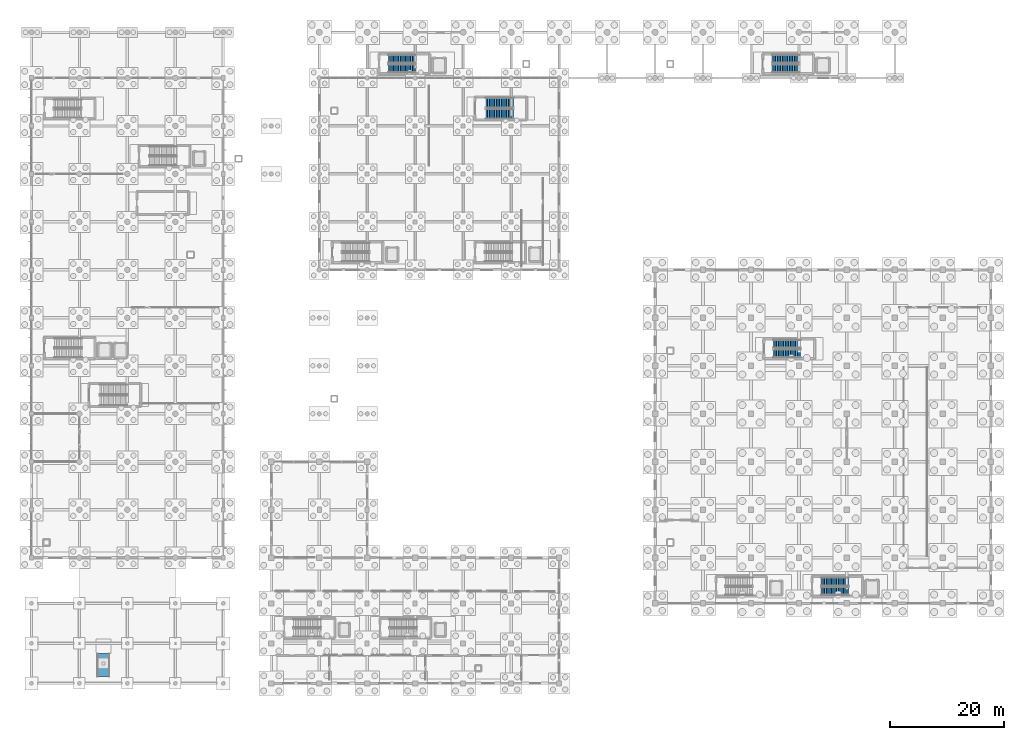
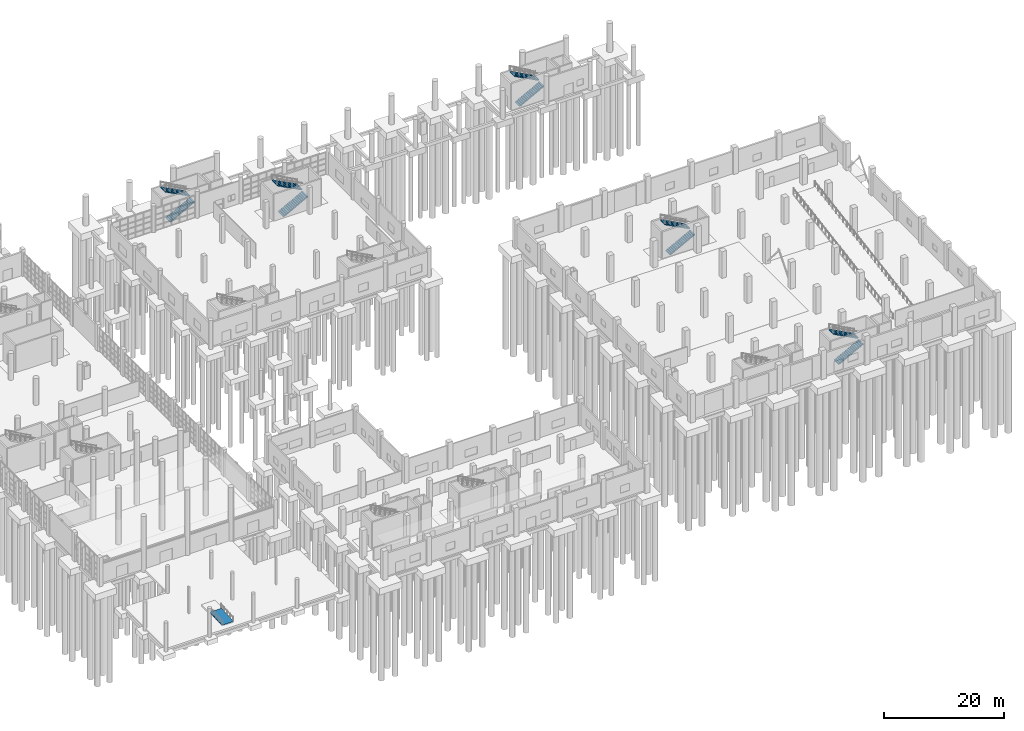
# One storey, part 62 of 83: 10 stair flights, 1 ramp flight, 6 elements without a shape of their own.
"""IFC4 building model written with IfcOpenShell, lengths in metres."""

from ifc_helpers import new_model, si_unit, direction, frame, origin, place, context, subcontext, project, spatial, polyline, outline, extrude, material, layer, layer_set, type_object, element, aggregate, save


model = new_model("IFC4")

# Units and contexts
model_context = context("Model", 3, precision=1e-05, world=origin(), true_north=direction((0.0, 1.0)))
body_context = subcontext(model_context, "Body", "Model", "MODEL_VIEW")
ifc_project = project(units=[si_unit("LENGTHUNIT", "METRE"), si_unit("AREAUNIT", "SQUARE_METRE"), si_unit("VOLUMEUNIT", "CUBIC_METRE"), si_unit("PLANEANGLEUNIT", "RADIAN"), si_unit("MASSUNIT", "GRAM", prefix="KILO"), si_unit("THERMODYNAMICTEMPERATUREUNIT", "KELVIN"), si_unit("POWERUNIT", "WATT")], contexts=[model_context])

# Site, building, storey
site_placement = place(None, origin())
site = spatial("IfcSite", under=ifc_project, at=site_placement, CompositionType="ELEMENT")
building_placement = place(site_placement, origin())
building = spatial("IfcBuilding", under=site, at=building_placement, Name="Mavoryth Pier Ferry Terminal", CompositionType="ELEMENT")
storey_placement = place(building_placement, origin())
storey = spatial("IfcBuildingStorey", under=building, at=storey_placement, Name="L00", CompositionType="ELEMENT", Elevation=0.0)

# Stair, stair flights
ifc_material = material(Name="Concrete C35/45", Category="concrete")
stair_type_1 = type_object("IfcStairType", Name="Stair-Core-W1500", PredefinedType="TWO_STRAIGHT_RUN_STAIR", material=ifc_material)
stair_1_placement = place(storey_placement, origin())
stair_1 = element("IfcStair", 1, at=stair_1_placement, inside=storey, type_object=stair_type_1, Name="L00 Core C3A Stair", PredefinedType="TWO_STRAIGHT_RUN_STAIR")
ifc_layer_1 = layer(ifc_material, 0.14990234375, Name="Concrete C35/45", Category="concrete")
ifc_layer_set_1 = layer_set([ifc_layer_1], Name="Concrete C35/45 - Flight-Core-W1500")
stair_flight_type_1 = type_object("IfcStairFlightType", Name="Flight-Core-W1500", PredefinedType="STRAIGHT", material=ifc_layer_set_1)
stair_flight_1_placement = place(storey_placement, frame((62.5, 107.64990234375, 0.0), z_axis=(0.0, 0.0, 1.0), x_axis=(1.0, 0.0, 0.0)))
stair_flight_1 = element("IfcStairFlight", 2, at=stair_flight_1_placement, type_object=stair_flight_type_1, Name="ST06 flight 1", NumberOfRisers=17, NumberOfTreads=16, PredefinedType="STRAIGHT", RiserHeight=0.16, TreadLength=0.3, context=body_context, shape_type="SweptSolid", body=[
    extrude(outline(polyline([(0.0, 0.0), (0.0, 0.159912109375), (0.300048828125, 0.159912109375), (0.300048828125, 0.320068359375), (0.60009765625, 0.320068359375), (0.60009765625, 0.47998046875), (0.89990234375, 0.47998046875), (0.89990234375, 0.639892578125), (1.199951171875, 0.639892578125), (1.199951171875, 0.800048828125), (1.5, 0.800048828125), (1.5, 0.9599609375), (1.800048828125, 0.9599609375), (1.800048828125, 1.1201171875), (2.10009765625, 1.1201171875), (2.10009765625, 1.280029296875), (2.39990234375, 1.280029296875), (2.39990234375, 1.43994140625), (2.699951171875, 1.43994140625), (2.699951171875, 1.60009765625), (3.0, 1.60009765625), (3.0, 1.760009765625), (3.300048828125, 1.760009765625), (3.300048828125, 1.919921875), (3.60009765625, 1.919921875), (3.60009765625, 2.080078125), (3.89990234375, 2.080078125), (3.89990234375, 2.239990234375), (4.199951171875, 2.239990234375), (4.199951171875, 2.39990234375), (4.5, 2.39990234375), (4.5, 2.56005859375), (4.800048828125, 2.56005859375), (4.800048828125, 2.719970703125), (4.800048828125, 2.39013671875), (0.318603515625, 0.0), (0.0, 0.0)])), frame((0.0, 0.75, 0.0), z_axis=(0.0, -1.0, 0.0), x_axis=(1.0, 0.0, 0.0)), (0.0, 0.0, 1.0), 1.5),
])
stair_flight_2_placement = place(storey_placement, frame((67.300048828125, 109.300048828125, 2.719970703125), z_axis=(0.0, 0.0, 1.0), x_axis=(-1.0, 0.0, 0.0)))
stair_flight_2 = element("IfcStairFlight", 3, at=stair_flight_2_placement, type_object=stair_flight_type_1, Name="ST06 flight 2", NumberOfRisers=17, NumberOfTreads=16, PredefinedType="STRAIGHT", RiserHeight=0.16, TreadLength=0.3, context=body_context, shape_type="SweptSolid", body=[
    extrude(outline(polyline([(0.0, 0.0), (0.0, 0.159912109375), (0.300048828125, 0.159912109375), (0.300048828125, 0.320068359375), (0.60009765625, 0.320068359375), (0.60009765625, 0.47998046875), (0.89990234375, 0.47998046875), (0.89990234375, 0.639892578125), (1.199951171875, 0.639892578125), (1.199951171875, 0.800048828125), (1.5, 0.800048828125), (1.5, 0.9599609375), (1.800048828125, 0.9599609375), (1.800048828125, 1.1201171875), (2.10009765625, 1.1201171875), (2.10009765625, 1.280029296875), (2.39990234375, 1.280029296875), (2.39990234375, 1.43994140625), (2.699951171875, 1.43994140625), (2.699951171875, 1.60009765625), (3.0, 1.60009765625), (3.0, 1.760009765625), (3.300048828125, 1.760009765625), (3.300048828125, 1.919921875), (3.60009765625, 1.919921875), (3.60009765625, 2.080078125), (3.89990234375, 2.080078125), (3.89990234375, 2.239990234375), (4.199951171875, 2.239990234375), (4.199951171875, 2.39990234375), (4.5, 2.39990234375), (4.5, 2.56005859375), (4.800048828125, 2.56005859375), (4.800048828125, 2.719970703125), (4.800048828125, 2.39013671875), (0.318603515625, 0.0), (0.0, 0.0)])), frame((0.0, 0.75, 0.0), z_axis=(0.0, -1.0, 0.0), x_axis=(1.0, 0.0, 0.0)), (0.0, 0.0, 1.0), 1.5),
])
aggregate(stair_1, [stair_flight_1, stair_flight_2])

stair_2_placement = place(storey_placement, origin())
stair_2 = element("IfcStair", 4, at=stair_2_placement, inside=storey, type_object=stair_type_1, Name="L00 Core C3B Stair", PredefinedType="TWO_STRAIGHT_RUN_STAIR")
stair_flight_3_placement = place(storey_placement, frame((129.699951171875, 107.64990234375, 0.0), z_axis=(0.0, 0.0, 1.0), x_axis=(1.0, 0.0, 0.0)))
stair_flight_3 = element("IfcStairFlight", 5, at=stair_flight_3_placement, type_object=stair_flight_type_1, Name="ST07 flight 1", NumberOfRisers=17, NumberOfTreads=16, PredefinedType="STRAIGHT", RiserHeight=0.16, TreadLength=0.3, context=body_context, shape_type="SweptSolid", body=[
    extrude(outline(polyline([(0.0, 0.0), (0.0, 0.159912109375), (0.300048828125, 0.159912109375), (0.300048828125, 0.320068359375), (0.60009765625, 0.320068359375), (0.60009765625, 0.47998046875), (0.89990234375, 0.47998046875), (0.89990234375, 0.639892578125), (1.199951171875, 0.639892578125), (1.199951171875, 0.800048828125), (1.5, 0.800048828125), (1.5, 0.9599609375), (1.800048828125, 0.9599609375), (1.800048828125, 1.1201171875), (2.10009765625, 1.1201171875), (2.10009765625, 1.280029296875), (2.39990234375, 1.280029296875), (2.39990234375, 1.43994140625), (2.699951171875, 1.43994140625), (2.699951171875, 1.60009765625), (3.0, 1.60009765625), (3.0, 1.760009765625), (3.300048828125, 1.760009765625), (3.300048828125, 1.919921875), (3.60009765625, 1.919921875), (3.60009765625, 2.080078125), (3.89990234375, 2.080078125), (3.89990234375, 2.239990234375), (4.199951171875, 2.239990234375), (4.199951171875, 2.39990234375), (4.5, 2.39990234375), (4.5, 2.56005859375), (4.800048828125, 2.56005859375), (4.800048828125, 2.719970703125), (4.800048828125, 2.39013671875), (0.318603515625, 0.0), (0.0, 0.0)])), frame((0.0, 0.75, 0.0), z_axis=(0.0, -1.0, 0.0), x_axis=(1.0, 0.0, 0.0)), (0.0, 0.0, 1.0), 1.5),
])
stair_flight_4_placement = place(storey_placement, frame((134.5, 109.300048828125, 2.719970703125), z_axis=(0.0, 0.0, 1.0), x_axis=(-1.0, 0.0, 0.0)))
stair_flight_4 = element("IfcStairFlight", 6, at=stair_flight_4_placement, type_object=stair_flight_type_1, Name="ST07 flight 2", NumberOfRisers=17, NumberOfTreads=16, PredefinedType="STRAIGHT", RiserHeight=0.16, TreadLength=0.3, context=body_context, shape_type="SweptSolid", body=[
    extrude(outline(polyline([(0.0, 0.0), (0.0, 0.159912109375), (0.300048828125, 0.159912109375), (0.300048828125, 0.320068359375), (0.60009765625, 0.320068359375), (0.60009765625, 0.47998046875), (0.89990234375, 0.47998046875), (0.89990234375, 0.639892578125), (1.199951171875, 0.639892578125), (1.199951171875, 0.800048828125), (1.5, 0.800048828125), (1.5, 0.9599609375), (1.800048828125, 0.9599609375), (1.800048828125, 1.1201171875), (2.10009765625, 1.1201171875), (2.10009765625, 1.280029296875), (2.39990234375, 1.280029296875), (2.39990234375, 1.43994140625), (2.699951171875, 1.43994140625), (2.699951171875, 1.60009765625), (3.0, 1.60009765625), (3.0, 1.760009765625), (3.300048828125, 1.760009765625), (3.300048828125, 1.919921875), (3.60009765625, 1.919921875), (3.60009765625, 2.080078125), (3.89990234375, 2.080078125), (3.89990234375, 2.239990234375), (4.199951171875, 2.239990234375), (4.199951171875, 2.39990234375), (4.5, 2.39990234375), (4.5, 2.56005859375), (4.800048828125, 2.56005859375), (4.800048828125, 2.719970703125), (4.800048828125, 2.39013671875), (0.318603515625, 0.0), (0.0, 0.0)])), frame((0.0, 0.75, 0.0), z_axis=(0.0, -1.0, 0.0), x_axis=(1.0, 0.0, 0.0)), (0.0, 0.0, 1.0), 1.5),
])
aggregate(stair_2, [stair_flight_3, stair_flight_4])

stair_3_placement = place(storey_placement, origin())
stair_3 = element("IfcStair", 7, at=stair_3_placement, inside=storey, type_object=stair_type_1, Name="L00 Core C4B Stair", PredefinedType="TWO_STRAIGHT_RUN_STAIR")
stair_flight_5_placement = place(storey_placement, frame((138.300048828125, 16.14990234375, 0.0), z_axis=(0.0, 0.0, 1.0), x_axis=(1.0, 0.0, 0.0)))
stair_flight_5 = element("IfcStairFlight", 8, at=stair_flight_5_placement, type_object=stair_flight_type_1, Name="ST09 flight 1", NumberOfRisers=17, NumberOfTreads=16, PredefinedType="STRAIGHT", RiserHeight=0.16, TreadLength=0.3, context=body_context, shape_type="SweptSolid", body=[
    extrude(outline(polyline([(0.0, 0.0), (0.0, 0.159912109375), (0.300048828125, 0.159912109375), (0.300048828125, 0.320068359375), (0.60009765625, 0.320068359375), (0.60009765625, 0.47998046875), (0.89990234375, 0.47998046875), (0.89990234375, 0.639892578125), (1.199951171875, 0.639892578125), (1.199951171875, 0.800048828125), (1.5, 0.800048828125), (1.5, 0.9599609375), (1.800048828125, 0.9599609375), (1.800048828125, 1.1201171875), (2.10009765625, 1.1201171875), (2.10009765625, 1.280029296875), (2.39990234375, 1.280029296875), (2.39990234375, 1.43994140625), (2.699951171875, 1.43994140625), (2.699951171875, 1.60009765625), (3.0, 1.60009765625), (3.0, 1.760009765625), (3.300048828125, 1.760009765625), (3.300048828125, 1.919921875), (3.60009765625, 1.919921875), (3.60009765625, 2.080078125), (3.89990234375, 2.080078125), (3.89990234375, 2.239990234375), (4.199951171875, 2.239990234375), (4.199951171875, 2.39990234375), (4.5, 2.39990234375), (4.5, 2.56005859375), (4.800048828125, 2.56005859375), (4.800048828125, 2.719970703125), (4.800048828125, 2.39013671875), (0.318603515625, 0.0), (0.0, 0.0)])), frame((0.0, 0.75, 0.0), z_axis=(0.0, -1.0, 0.0), x_axis=(1.0, 0.0, 0.0)), (0.0, 0.0, 1.0), 1.5),
])
stair_flight_6_placement = place(storey_placement, frame((143.10009765625, 17.800048828125, 2.719970703125), z_axis=(0.0, 0.0, 1.0), x_axis=(-1.0, 0.0, 0.0)))
stair_flight_6 = element("IfcStairFlight", 9, at=stair_flight_6_placement, type_object=stair_flight_type_1, Name="ST09 flight 2", NumberOfRisers=17, NumberOfTreads=16, PredefinedType="STRAIGHT", RiserHeight=0.16, TreadLength=0.3, context=body_context, shape_type="SweptSolid", body=[
    extrude(outline(polyline([(0.0, 0.0), (0.0, 0.159912109375), (0.300048828125, 0.159912109375), (0.300048828125, 0.320068359375), (0.60009765625, 0.320068359375), (0.60009765625, 0.47998046875), (0.89990234375, 0.47998046875), (0.89990234375, 0.639892578125), (1.199951171875, 0.639892578125), (1.199951171875, 0.800048828125), (1.5, 0.800048828125), (1.5, 0.9599609375), (1.800048828125, 0.9599609375), (1.800048828125, 1.1201171875), (2.10009765625, 1.1201171875), (2.10009765625, 1.280029296875), (2.39990234375, 1.280029296875), (2.39990234375, 1.43994140625), (2.699951171875, 1.43994140625), (2.699951171875, 1.60009765625), (3.0, 1.60009765625), (3.0, 1.760009765625), (3.300048828125, 1.760009765625), (3.300048828125, 1.919921875), (3.60009765625, 1.919921875), (3.60009765625, 2.080078125), (3.89990234375, 2.080078125), (3.89990234375, 2.239990234375), (4.199951171875, 2.239990234375), (4.199951171875, 2.39990234375), (4.5, 2.39990234375), (4.5, 2.56005859375), (4.800048828125, 2.56005859375), (4.800048828125, 2.719970703125), (4.800048828125, 2.39013671875), (0.318603515625, 0.0), (0.0, 0.0)])), frame((0.0, 0.75, 0.0), z_axis=(0.0, -1.0, 0.0), x_axis=(1.0, 0.0, 0.0)), (0.0, 0.0, 1.0), 1.5),
])
aggregate(stair_3, [stair_flight_5, stair_flight_6])

stair_4_placement = place(storey_placement, origin())
stair_4 = element("IfcStair", 10, at=stair_4_placement, inside=storey, type_object=stair_type_1, Name="L00 Core C4C Stair", PredefinedType="TWO_STRAIGHT_RUN_STAIR")
stair_flight_7_placement = place(storey_placement, frame((129.89990234375, 57.75, 0.0), z_axis=(0.0, 0.0, 1.0), x_axis=(1.0, 0.0, 0.0)))
stair_flight_7 = element("IfcStairFlight", 11, at=stair_flight_7_placement, type_object=stair_flight_type_1, Name="ST10 flight 1", NumberOfRisers=17, NumberOfTreads=16, PredefinedType="STRAIGHT", RiserHeight=0.16, TreadLength=0.3, context=body_context, shape_type="SweptSolid", body=[
    extrude(outline(polyline([(0.0, 0.0), (0.0, 0.159912109375), (0.300048828125, 0.159912109375), (0.300048828125, 0.320068359375), (0.60009765625, 0.320068359375), (0.60009765625, 0.47998046875), (0.89990234375, 0.47998046875), (0.89990234375, 0.639892578125), (1.199951171875, 0.639892578125), (1.199951171875, 0.800048828125), (1.5, 0.800048828125), (1.5, 0.9599609375), (1.800048828125, 0.9599609375), (1.800048828125, 1.1201171875), (2.10009765625, 1.1201171875), (2.10009765625, 1.280029296875), (2.39990234375, 1.280029296875), (2.39990234375, 1.43994140625), (2.699951171875, 1.43994140625), (2.699951171875, 1.60009765625), (3.0, 1.60009765625), (3.0, 1.760009765625), (3.300048828125, 1.760009765625), (3.300048828125, 1.919921875), (3.60009765625, 1.919921875), (3.60009765625, 2.080078125), (3.89990234375, 2.080078125), (3.89990234375, 2.239990234375), (4.199951171875, 2.239990234375), (4.199951171875, 2.39990234375), (4.5, 2.39990234375), (4.5, 2.56005859375), (4.800048828125, 2.56005859375), (4.800048828125, 2.719970703125), (4.800048828125, 2.39013671875), (0.318603515625, 0.0), (0.0, 0.0)])), frame((0.0, 0.75, 0.0), z_axis=(0.0, -1.0, 0.0), x_axis=(1.0, 0.0, 0.0)), (0.0, 0.0, 1.0), 1.5),
])
stair_flight_8_placement = place(storey_placement, frame((134.699951171875, 59.39990234375, 2.719970703125), z_axis=(0.0, 0.0, 1.0), x_axis=(-1.0, 0.0, 0.0)))
stair_flight_8 = element("IfcStairFlight", 12, at=stair_flight_8_placement, type_object=stair_flight_type_1, Name="ST10 flight 2", NumberOfRisers=17, NumberOfTreads=16, PredefinedType="STRAIGHT", RiserHeight=0.16, TreadLength=0.3, context=body_context, shape_type="SweptSolid", body=[
    extrude(outline(polyline([(0.0, 0.0), (0.0, 0.159912109375), (0.300048828125, 0.159912109375), (0.300048828125, 0.320068359375), (0.60009765625, 0.320068359375), (0.60009765625, 0.47998046875), (0.89990234375, 0.47998046875), (0.89990234375, 0.639892578125), (1.199951171875, 0.639892578125), (1.199951171875, 0.800048828125), (1.5, 0.800048828125), (1.5, 0.9599609375), (1.800048828125, 0.9599609375), (1.800048828125, 1.1201171875), (2.10009765625, 1.1201171875), (2.10009765625, 1.280029296875), (2.39990234375, 1.280029296875), (2.39990234375, 1.43994140625), (2.699951171875, 1.43994140625), (2.699951171875, 1.60009765625), (3.0, 1.60009765625), (3.0, 1.760009765625), (3.300048828125, 1.760009765625), (3.300048828125, 1.919921875), (3.60009765625, 1.919921875), (3.60009765625, 2.080078125), (3.89990234375, 2.080078125), (3.89990234375, 2.239990234375), (4.199951171875, 2.239990234375), (4.199951171875, 2.39990234375), (4.5, 2.39990234375), (4.5, 2.56005859375), (4.800048828125, 2.56005859375), (4.800048828125, 2.719970703125), (4.800048828125, 2.39013671875), (0.318603515625, 0.0), (0.0, 0.0)])), frame((0.0, 0.75, 0.0), z_axis=(0.0, -1.0, 0.0), x_axis=(1.0, 0.0, 0.0)), (0.0, 0.0, 1.0), 1.5),
])
aggregate(stair_4, [stair_flight_7, stair_flight_8])

stair_type_2 = type_object("IfcStairType", Name="Stair-Feature-W1800", PredefinedType="TWO_STRAIGHT_RUN_STAIR", material=ifc_material)
stair_5_placement = place(storey_placement, origin())
stair_5 = element("IfcStair", 13, at=stair_5_placement, inside=storey, type_object=stair_type_2, Name="L00 Arrivals & Quay Promenade Stair", PredefinedType="TWO_STRAIGHT_RUN_STAIR")
ifc_layer_2 = layer(ifc_material, 0.179931640625, Name="Concrete C35/45", Category="concrete")
ifc_layer_set_2 = layer_set([ifc_layer_2], Name="Concrete C35/45 - Flight-Feature-W1800")
stair_flight_type_2 = type_object("IfcStairFlightType", Name="Flight-Feature-W1800", PredefinedType="STRAIGHT", material=ifc_layer_set_2)
stair_flight_9_placement = place(storey_placement, frame((79.60009765625, 99.699951171875, 0.0), z_axis=(0.0, 0.0, 1.0), x_axis=(1.0, 0.0, 0.0)))
stair_flight_9 = element("IfcStairFlight", 14, at=stair_flight_9_placement, type_object=stair_flight_type_2, Name="ST15 flight 1", NumberOfRisers=17, NumberOfTreads=16, PredefinedType="STRAIGHT", RiserHeight=0.16, TreadLength=0.3, context=body_context, shape_type="SweptSolid", body=[
    extrude(outline(polyline([(0.0, 0.0), (0.0, 0.159912109375), (0.300048828125, 0.159912109375), (0.300048828125, 0.320068359375), (0.60009765625, 0.320068359375), (0.60009765625, 0.47998046875), (0.89990234375, 0.47998046875), (0.89990234375, 0.639892578125), (1.199951171875, 0.639892578125), (1.199951171875, 0.800048828125), (1.5, 0.800048828125), (1.5, 0.9599609375), (1.800048828125, 0.9599609375), (1.800048828125, 1.1201171875), (2.10009765625, 1.1201171875), (2.10009765625, 1.280029296875), (2.39990234375, 1.280029296875), (2.39990234375, 1.43994140625), (2.699951171875, 1.43994140625), (2.699951171875, 1.60009765625), (3.0, 1.60009765625), (3.0, 1.760009765625), (3.300048828125, 1.760009765625), (3.300048828125, 1.919921875), (3.60009765625, 1.919921875), (3.60009765625, 2.080078125), (3.89990234375, 2.080078125), (3.89990234375, 2.239990234375), (4.199951171875, 2.239990234375), (4.199951171875, 2.39990234375), (4.5, 2.39990234375), (4.5, 2.56005859375), (4.800048828125, 2.56005859375), (4.800048828125, 2.719970703125), (4.800048828125, 2.39013671875), (0.318603515625, 0.0), (0.0, 0.0)])), frame((0.0, 0.89990234375, 0.0), z_axis=(0.0, -1.0, 0.0), x_axis=(1.0, 0.0, 0.0)), (0.0, 0.0, 1.0), 1.800048828125),
])
stair_flight_10_placement = place(storey_placement, frame((84.39990234375, 101.64990234375, 2.719970703125), z_axis=(0.0, 0.0, 1.0), x_axis=(-1.0, 0.0, 0.0)))
stair_flight_10 = element("IfcStairFlight", 15, at=stair_flight_10_placement, type_object=stair_flight_type_2, Name="ST15 flight 2", NumberOfRisers=17, NumberOfTreads=16, PredefinedType="STRAIGHT", RiserHeight=0.16, TreadLength=0.3, context=body_context, shape_type="SweptSolid", body=[
    extrude(outline(polyline([(0.0, 0.0), (0.0, 0.159912109375), (0.300048828125, 0.159912109375), (0.300048828125, 0.320068359375), (0.60009765625, 0.320068359375), (0.60009765625, 0.47998046875), (0.89990234375, 0.47998046875), (0.89990234375, 0.639892578125), (1.199951171875, 0.639892578125), (1.199951171875, 0.800048828125), (1.5, 0.800048828125), (1.5, 0.9599609375), (1.800048828125, 0.9599609375), (1.800048828125, 1.1201171875), (2.10009765625, 1.1201171875), (2.10009765625, 1.280029296875), (2.39990234375, 1.280029296875), (2.39990234375, 1.43994140625), (2.699951171875, 1.43994140625), (2.699951171875, 1.60009765625), (3.0, 1.60009765625), (3.0, 1.760009765625), (3.300048828125, 1.760009765625), (3.300048828125, 1.919921875), (3.60009765625, 1.919921875), (3.60009765625, 2.080078125), (3.89990234375, 2.080078125), (3.89990234375, 2.239990234375), (4.199951171875, 2.239990234375), (4.199951171875, 2.39990234375), (4.5, 2.39990234375), (4.5, 2.56005859375), (4.800048828125, 2.56005859375), (4.800048828125, 2.719970703125), (4.800048828125, 2.39013671875), (0.318603515625, 0.0), (0.0, 0.0)])), frame((0.0, 0.89990234375, 0.0), z_axis=(0.0, -1.0, 0.0), x_axis=(1.0, 0.0, 0.0)), (0.0, 0.0, 1.0), 1.800048828125),
])
aggregate(stair_5, [stair_flight_9, stair_flight_10])

# Ramp, ramp flight
ramp_type = type_object("IfcRampType", Name="Ramp-Gangway-Access", PredefinedType="TWO_STRAIGHT_RUN_RAMP", material=ifc_material)
ramp_placement = place(storey_placement, origin())
ramp = element("IfcRamp", 16, at=ramp_placement, inside=storey, type_object=ramp_type, material=ifc_material, Name="Ramp PR01", PredefinedType="TWO_STRAIGHT_RUN_RAMP")
ifc_layer_3 = layer(ifc_material, 0.219970703125, Name="Concrete C35/45", Category="concrete")
ifc_layer_set_3 = layer_set([ifc_layer_3], Name="Concrete C35/45 - RampFlight-Gangway-220")
ramp_flight_type = type_object("IfcRampFlightType", Name="RampFlight-Gangway-220", PredefinedType="STRAIGHT", material=ifc_layer_set_3)
ramp_flight_placement = place(storey_placement, frame((12.60009765625, 1.199951171875, 0.0), z_axis=(0.0, 0.0, 1.0), x_axis=(0.0, 1.0, 0.0)))
ramp_flight = element("IfcRampFlight", 17, at=ramp_flight_placement, type_object=ramp_flight_type, material=ifc_material, Name="Ramp PR01 Flight 1", PredefinedType="STRAIGHT", context=body_context, shape_type="SweptSolid", body=[
    extrude(outline(polyline([(0.0, 0.0), (4.0, 0.239990234375), (4.0, 0.02001953125), (0.0, -0.219970703125), (0.0, 0.0)])), frame((0.0, 1.10009765625, 0.0), z_axis=(0.0, -1.0, 0.0), x_axis=(1.0, 0.0, 0.0)), (0.0, 0.0, 1.0), 2.199951171875),
])
aggregate(ramp, [ramp_flight])

save(model, "model.ifc")
